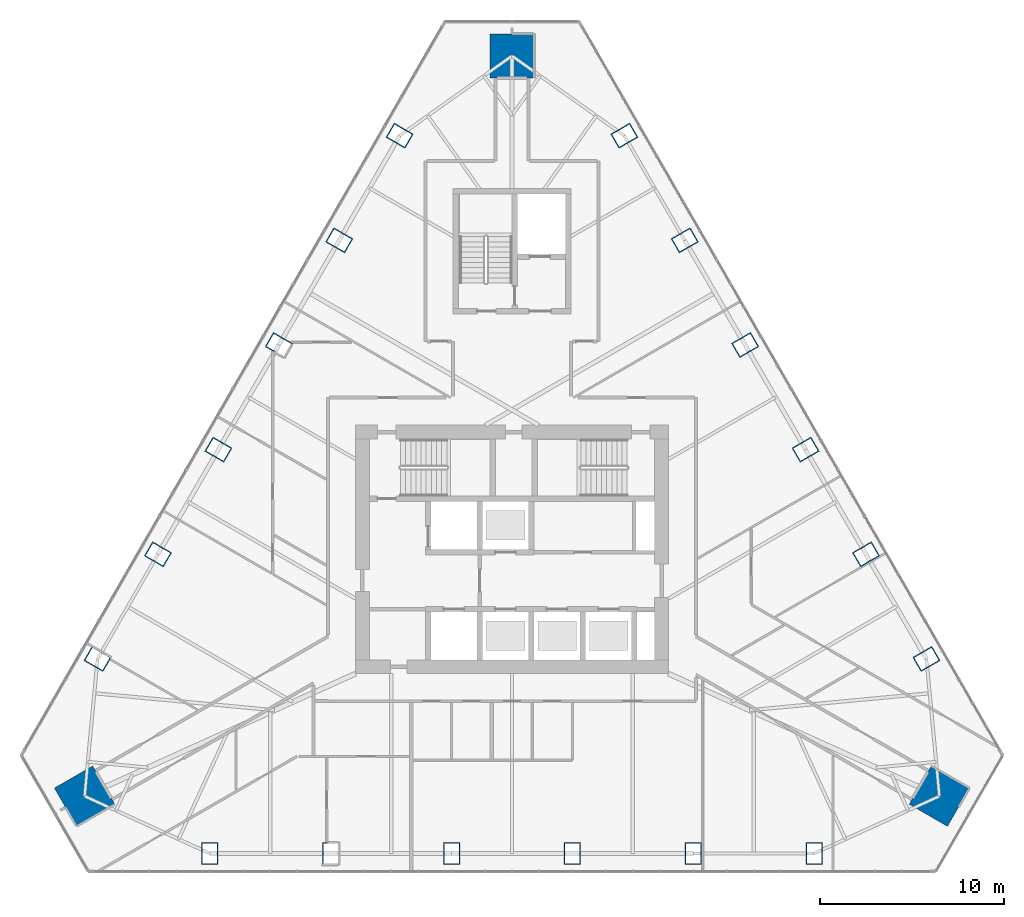
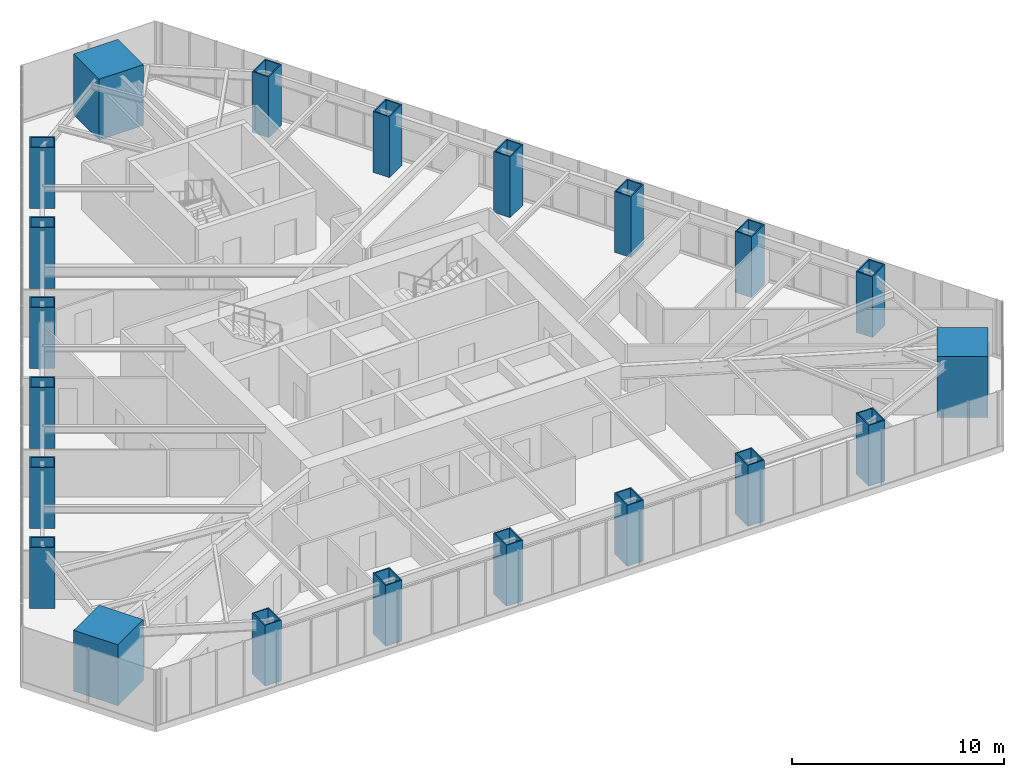
# One storey, part 1 of 21: 21 columns.
"""IFC4 building model written with IfcOpenShell, lengths in metres."""

from ifc_helpers import new_model, si_unit, direction, frame, origin, origin_2d, place, context, subcontext, project, spatial, rectangle, hollow_rectangle, extrude, material, material_profile, profile_set, type_object, element, save


model = new_model("IFC4")

# Units and contexts
model_context = context("Model", 3, precision=1e-05, world=origin(), true_north=direction((0.0, 1.0)))
body_context = subcontext(model_context, "Body", "Model", "MODEL_VIEW")
ifc_project = project(units=[si_unit("LENGTHUNIT", "METRE"), si_unit("AREAUNIT", "SQUARE_METRE"), si_unit("VOLUMEUNIT", "CUBIC_METRE"), si_unit("PLANEANGLEUNIT", "RADIAN"), si_unit("MASSUNIT", "GRAM", prefix="KILO")], contexts=[model_context])

# Site, building, storey
site_placement = place(None, origin())
site = spatial("IfcSite", under=ifc_project, at=site_placement, CompositionType="ELEMENT")
building_placement = place(site_placement, origin())
building = spatial("IfcBuilding", under=site, at=building_placement, Name="Firuza Gate Tower and Library", CompositionType="ELEMENT")
storey_placement = place(building_placement, frame((0.0, 0.0, 274.10009765625)))
storey = spatial("IfcBuildingStorey", under=building, at=storey_placement, Name="L65", CompositionType="ELEMENT", Elevation=274.10009765625)

# Columns
ifc_material_1 = material(Name="Steel S355", Category="steel")
ifc_material_profile_1 = material_profile(ifc_material_1, hollow_rectangle(XDim=0.89990234375, YDim=1.199951171875, WallThickness=0.06005859375, at=origin_2d()))
ifc_profile_set_1 = profile_set([ifc_material_profile_1], Name="Steel S355")
column_type_1 = type_object("IfcColumnType", Name="BU1200x900x60 Composite box column", PredefinedType="COLUMN", material=ifc_profile_set_1)
for number, where, z_axis, x_axis, name in (
    (1, (58.586669921875, 58.476318359375, -0.00048828125), (0.0, 0.0, 1.0), (1.0, 0.0, 0.0), "Column S1 L65"),
    (2, (65.152099609375, 58.476318359375, -0.00048828125), (0.0, 0.0, 1.0), (1.0, 0.0, 0.0), "Column S2 L65"),
    (3, (71.71728515625, 58.476318359375, -0.00048828125), (0.0, 0.0, 1.0), (1.0, 0.0, 0.0), "Column S3 L65"),
    (4, (78.28271484375, 58.476318359375, -0.00048828125), (0.0, 0.0, 1.0), (1.0, 0.0, 0.0), "Column S4 L65"),
    (5, (84.847900390625, 58.476318359375, -0.00048828125), (0.0, 0.0, 1.0), (1.0, 0.0, 0.0), "Column S5 L65"),
    (6, (91.413330078125, 58.476318359375, -0.00048828125), (0.0, 0.0, 1.0), (1.0, 0.0, 0.0), "Column S6 L65"),
    (7, (97.5166015625, 69.04736328125, -0.00048828125), (0.0, 0.0, 1.0), (-0.5, 0.866025403784, 0.0), "Column E1 L65"),
    (8, (94.23388671875, 74.733154296875, -0.00048828125), (0.0, 0.0, 1.0), (-0.5, 0.866025403784, 0.0), "Column E2 L65"),
    (9, (90.951171875, 80.4189453125, -0.00048828125), (0.0, 0.0, 1.0), (-0.5, 0.866025403784, 0.0), "Column E3 L65"),
    (10, (87.66845703125, 86.104736328125, -0.00048828125), (0.0, 0.0, 1.0), (-0.5, 0.866025403784, 0.0), "Column E4 L65"),
    (11, (84.385986328125, 91.79052734375, -0.00048828125), (0.0, 0.0, 1.0), (-0.5, 0.866025403784, 0.0), "Column E5 L65"),
    (12, (81.103271484375, 97.47607421875, -0.00048828125), (0.0, 0.0, 1.0), (-0.5, 0.866025403784, 0.0), "Column E6 L65"),
    (13, (68.896728515625, 97.47607421875, -0.00048828125), (0.0, 0.0, 1.0), (-0.5, -0.866025403784, 0.0), "Column W1 L65"),
    (14, (65.614013671875, 91.79052734375, -0.00048828125), (0.0, 0.0, 1.0), (-0.5, -0.866025403784, 0.0), "Column W2 L65"),
    (15, (62.33154296875, 86.104736328125, -0.00048828125), (0.0, 0.0, 1.0), (-0.5, -0.866025403784, 0.0), "Column W3 L65"),
    (16, (59.048828125, 80.4189453125, -0.00048828125), (0.0, 0.0, 1.0), (-0.5, -0.866025403784, 0.0), "Column W4 L65"),
    (17, (55.76611328125, 74.733154296875, -0.00048828125), (0.0, 0.0, 1.0), (-0.5, -0.866025403784, 0.0), "Column W5 L65"),
    (18, (52.4833984375, 69.04736328125, -0.00048828125), (0.0, 0.0, 1.0), (-0.5, -0.866025403784, 0.0), "Column W6 L65"),
):
    element("IfcColumn", number, at=place(storey_placement, frame(where, z_axis=z_axis, x_axis=x_axis)), inside=storey, type_object=column_type_1, Name=name, PredefinedType="COLUMN", context=body_context, shape_type="SweptSolid", body=[
        extrude(hollow_rectangle(XDim=0.89990234375, YDim=1.199951171875, WallThickness=0.06005859375, at=origin_2d()), origin(), (0.0, 0.0, 1.0), 3.50048828125),
    ])
ifc_material_2 = material(Name="Concrete C80/95", Category="concrete")
ifc_material_profile_2 = material_profile(ifc_material_2, rectangle(XDim=2.39990234375, YDim=2.39990234375, at=origin_2d()))
ifc_profile_set_2 = profile_set([ifc_material_profile_2], Name="Concrete C80/95")
column_type_2 = type_object("IfcColumnType", Name="Mega column 2400x2400 C80/95", PredefinedType="COLUMN", material=ifc_profile_set_2)
for number, where, z_axis, x_axis, name in (
    (19, (98.2197265625, 61.593994140625, 0.0), (0.0, 0.0, 1.0), (0.5, 0.866025403784, 0.0), "Mega column SE L65"),
    (20, (75.0, 101.81201171875, 0.0), (0.0, 0.0, 1.0), (-1.0, 0.0, 0.0), "Mega column N L65"),
    (21, (51.7802734375, 61.593994140625, 0.0), (0.0, 0.0, 1.0), (0.5, -0.866025403784, 0.0), "Mega column SW L65"),
):
    element("IfcColumn", number, at=place(storey_placement, frame(where, z_axis=z_axis, x_axis=x_axis)), inside=storey, type_object=column_type_2, Name=name, PredefinedType="COLUMN", context=body_context, shape_type="SweptSolid", body=[
        extrude(rectangle(XDim=2.39990234375, YDim=2.39990234375, at=origin_2d()), origin(), (0.0, 0.0, 1.0), 3.5),
    ])

save(model, "model.ifc")
